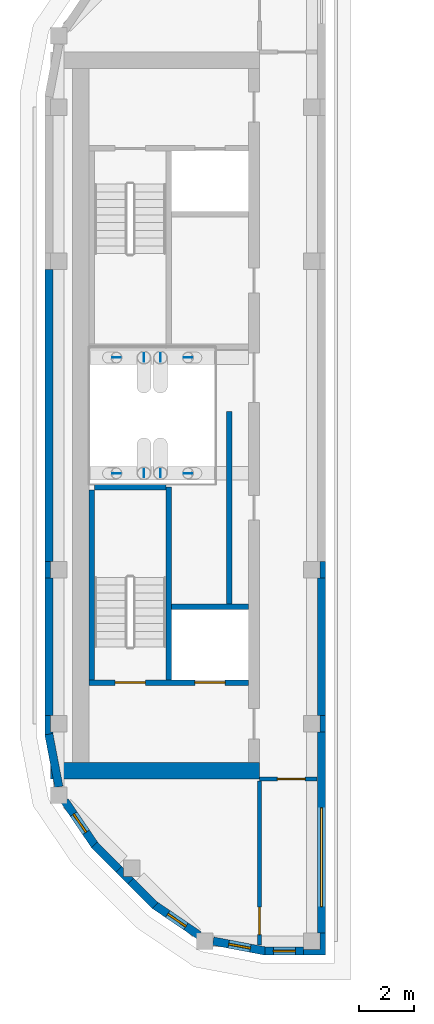
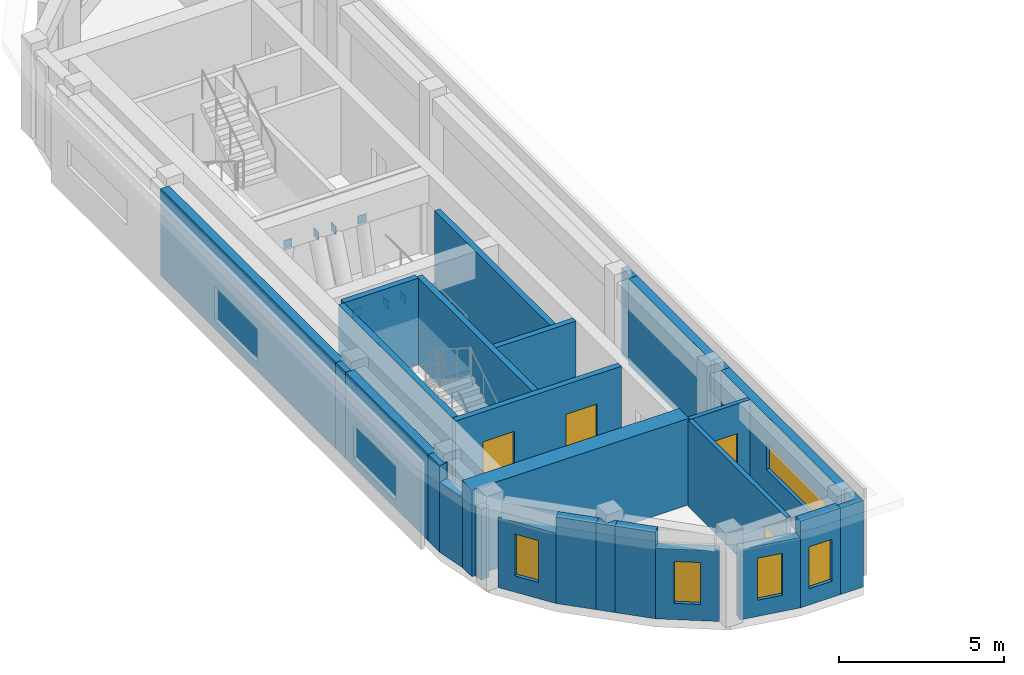
# One storey, part 2 of 8: 26 walls, 8 plates, 5 windows, 4 doors, 9 openings.
"""IFC4 building model written with IfcOpenShell, lengths in metres."""

import ifcopenshell
import ifcopenshell.guid

model = None  # the IFC model being written
_history = None  # IfcOwnerHistory: only IFC2X3 demands one
_inside = {}  # id of a spatial element -> (the spatial element, [elements in it])
_under = {}  # id of a project, library or spatial element -> (it, [spatial elements below it])
_declared = {}  # id of a project -> (the project, [libraries it declares])
_typed = {}  # id of a type object -> (the type object, [elements of that type])
_made_of = {}  # id of a material, layer set ... -> (it, [elements and type objects made of it])


def new_model(schema):
    """Start an empty IFC model of exactly this schema.

    Asked for "IFC4X3", IfcOpenShell would pick the latest addendum, in which some entities
    have other attributes; the version numbers below select the first issue.
    IFC2X3 requires an IfcOwnerHistory on every rooted entity: one is made here for all.
    """
    global model, _history
    if schema == "IFC4X3":
        model = ifcopenshell.file(schema_version=(4, 3, 0, 0))
    else:
        model = ifcopenshell.file(schema=schema)
    _inside.clear()
    _under.clear()
    _declared.clear()
    _typed.clear()
    _made_of.clear()
    _history = None
    if model.schema == "IFC2X3":
        org = make("IfcOrganization", Name="unknown")
        user = make(
            "IfcPersonAndOrganization",
            ThePerson=make("IfcPerson", FamilyName="unknown"),
            TheOrganization=org,
        )
        app = make(
            "IfcApplication",
            ApplicationDeveloper=org,
            Version="unknown",
            ApplicationFullName="unknown",
            ApplicationIdentifier="unknown",
        )
        _history = make(
            "IfcOwnerHistory",
            OwningUser=user,
            OwningApplication=app,
            ChangeAction="ADDED",
            CreationDate=0,
        )
    return model


def make(cls, **values):
    """One entity of the class cls with the attributes given. An attribute that is None is left unset."""
    return model.create_entity(
        cls, **{name: value for name, value in values.items() if value is not None}
    )


def rooted(cls, **values):
    """An entity with a GlobalId (a new one), such as an element, a storey or a relation."""
    return make(cls, GlobalId=ifcopenshell.guid.new(), OwnerHistory=_history, **values)


def si_unit(unit_type, name, prefix=None):
    """IfcSIUnit, for example si_unit("LENGTHUNIT", "METRE", prefix="MILLI")."""
    return make("IfcSIUnit", UnitType=unit_type, Prefix=prefix, Name=name)


def assignment(units):
    """IfcUnitAssignment: the units of a project."""
    return None if units is None else make("IfcUnitAssignment", Units=units)


def point(xyz):
    """IfcCartesianPoint."""
    return None if xyz is None else make("IfcCartesianPoint", Coordinates=xyz)


def direction(xyz):
    """IfcDirection."""
    return None if xyz is None else make("IfcDirection", DirectionRatios=xyz)


def frame(location, z_axis=None, x_axis=None):
    """IfcAxis2Placement3D, a coordinate frame: its origin and axes. An axis left out is left unset."""
    return make(
        "IfcAxis2Placement3D",
        Location=point(location),
        Axis=direction(z_axis),
        RefDirection=direction(x_axis),
    )


def frame_2d(location, x_axis=None):
    """IfcAxis2Placement2D, a coordinate frame in the plane: its origin and x axis."""
    return make(
        "IfcAxis2Placement2D", Location=point(location), RefDirection=direction(x_axis)
    )


def origin():
    """The frame at (0, 0, 0) with its axes left unset."""
    return frame((0.0, 0.0, 0.0))


def origin_2d():
    """The frame at (0, 0) in the plane with its x axis left unset."""
    return frame_2d((0.0, 0.0))


def place(relative_to, where):
    """IfcLocalPlacement: puts the frame where relative to a parent placement (None: the world)."""
    return make(
        "IfcLocalPlacement", PlacementRelTo=relative_to, RelativePlacement=where
    )


def context(
    kind, dimensions, precision=None, world=None, true_north=None, identifier=None
):
    """IfcGeometricRepresentationContext, for example the 3D "Model" context."""
    return make(
        "IfcGeometricRepresentationContext",
        ContextIdentifier=identifier,
        ContextType=kind,
        CoordinateSpaceDimension=dimensions,
        Precision=precision,
        WorldCoordinateSystem=world,
        TrueNorth=true_north,
    )


def subcontext(parent, identifier, kind, view, scale=None):
    """IfcGeometricRepresentationSubContext, for example "Body" below "Model"."""
    return make(
        "IfcGeometricRepresentationSubContext",
        ContextIdentifier=identifier,
        ContextType=kind,
        ParentContext=parent,
        TargetScale=scale,
        TargetView=view,
    )


def project(units=None, contexts=None):
    """IfcProject with its units and contexts."""
    return rooted(
        "IfcProject",
        Name="project",
        RepresentationContexts=contexts,
        UnitsInContext=assignment(units),
    )


def spatial(cls, under=None, at=None, **own):
    """A site, building, storey or space (cls), placed at a placement, below another one or the project."""
    s = rooted(cls, ObjectPlacement=at, **own)
    if under is not None:
        _under.setdefault(under.id(), (under, []))[1].append(s)
    return s


def polyline(points):
    """IfcPolyline through the points."""
    return make("IfcPolyline", Points=[point(p) for p in points])


def profile(cls, at=None, kind="AREA", **sizes):
    """A parametric profile (cls). Its sizes go by their IFC names, for example OverallWidth=200.0."""
    return make(cls, ProfileType=kind, Position=at, **sizes)


def rectangle(**sizes):
    """IfcRectangleProfileDef."""
    return profile("IfcRectangleProfileDef", **sizes)


def outline(outer, holes=None, kind="AREA"):
    """IfcArbitraryClosedProfileDef: a profile drawn as a closed curve; with holes, ...WithVoids."""
    if holes is None:
        return make("IfcArbitraryClosedProfileDef", ProfileType=kind, OuterCurve=outer)
    return make(
        "IfcArbitraryProfileDefWithVoids",
        ProfileType=kind,
        OuterCurve=outer,
        InnerCurves=holes,
    )


def extrude(swept, where, along, depth):
    """IfcExtrudedAreaSolid: the profile swept, set in the frame where, extruded along a direction by depth."""
    return make(
        "IfcExtrudedAreaSolid",
        SweptArea=swept,
        Position=where,
        ExtrudedDirection=direction(along),
        Depth=depth,
    )


def shape(context_of_items, identifier, shape_type, items):
    """IfcShapeRepresentation: the items that make up one representation, for example the "Body"."""
    return make(
        "IfcShapeRepresentation",
        ContextOfItems=context_of_items,
        RepresentationIdentifier=identifier,
        RepresentationType=shape_type,
        Items=items,
    )


def material(Name=None, Category=None):
    """IfcMaterial."""
    return make("IfcMaterial", Name=Name, Category=Category)


def layer(
    of_material, thickness, ventilated=None, Name=None, Category=None, Priority=None
):
    """IfcMaterialLayer: one layer of a wall or slab, of a material (None: an air gap)."""
    return make(
        "IfcMaterialLayer",
        Material=of_material,
        LayerThickness=thickness,
        IsVentilated=ventilated,
        Name=Name,
        Category=Category,
        Priority=Priority,
    )


def layer_set(layers, Name=None):
    """IfcMaterialLayerSet."""
    return make("IfcMaterialLayerSet", MaterialLayers=layers, LayerSetName=Name)


def made_of(thing, what):
    """Note that an element or type object is made of a material, layer set ...; save() writes the relation."""
    if what is not None:
        _made_of.setdefault(what.id(), (what, []))[1].append(thing)
    return thing


def type_object(cls, material=None, **own):
    """A type object (cls), such as IfcWallType, which elements share."""
    return made_of(rooted(cls, **own), material)


def element(
    cls,
    number,
    at=None,
    inside=None,
    cuts=None,
    type_object=None,
    material=None,
    context=None,
    identifier="Body",
    shape_type=None,
    held_by="IfcProductDefinitionShape",
    body=None,
    shapes=None,
    **own,
):
    """One element of the class cls, such as IfcWall. Its Tag is "e" and its number.

    at: its placement. inside: the storey or other place that contains it. cuts: it is an
    opening in that element (IfcRelVoidsElement). A single representation is given by context,
    identifier, shape_type and body (its items); several are given by shapes. held_by: the class
    of the entity that holds the representations. save() writes the other relations.
    """
    e = rooted(cls, Tag="e%d" % number, ObjectPlacement=at, **own)
    if body is not None:
        shapes = [shape(context, identifier, shape_type, body)]
    if shapes is not None:
        e.Representation = make(held_by, Representations=shapes)
    if inside is not None:
        _inside.setdefault(inside.id(), (inside, []))[1].append(e)
    if cuts is not None:
        rooted(
            "IfcRelVoidsElement", RelatingBuildingElement=cuts, RelatedOpeningElement=e
        )
    if type_object is not None:
        _typed.setdefault(type_object.id(), (type_object, []))[1].append(e)
    return made_of(e, material)


def fill(opening, filler):
    """IfcRelFillsElement: the door or window that sits in an opening."""
    return rooted(
        "IfcRelFillsElement",
        RelatingOpeningElement=opening,
        RelatedBuildingElement=filler,
    )


def aggregate(whole, parts):
    """IfcRelAggregates: a whole, such as a stair, and the parts it consists of."""
    return rooted("IfcRelAggregates", RelatingObject=whole, RelatedObjects=parts)


def save(model, path):
    """Write the relations noted so far, then the file.

    IfcRelAggregates (storeys below a building ...), IfcRelContainedInSpatialStructure (elements
    in a storey), IfcRelDefinesByType, IfcRelAssociatesMaterial and IfcRelDeclares: one each for
    every whole, place, type object, material and project.
    """
    for whole, parts in _under.values():
        aggregate(whole, parts)
    for where, things in _inside.values():
        rooted(
            "IfcRelContainedInSpatialStructure",
            RelatedElements=things,
            RelatingStructure=where,
        )
    for kind, things in _typed.values():
        rooted("IfcRelDefinesByType", RelatedObjects=things, RelatingType=kind)
    for what, things in _made_of.values():
        rooted("IfcRelAssociatesMaterial", RelatedObjects=things, RelatingMaterial=what)
    for by, libraries in _declared.values():
        rooted("IfcRelDeclares", RelatingContext=by, RelatedDefinitions=libraries)
    model.write(path)


model = new_model("IFC4")

# Units and contexts
model_context = context("Model", 3, precision=1e-05, world=origin(), true_north=direction((0.0, 1.0)))
body_context = subcontext(model_context, "Body", "Model", "MODEL_VIEW")
ifc_project = project(units=[si_unit("LENGTHUNIT", "METRE"), si_unit("AREAUNIT", "SQUARE_METRE"), si_unit("VOLUMEUNIT", "CUBIC_METRE"), si_unit("PLANEANGLEUNIT", "RADIAN"), si_unit("MASSUNIT", "GRAM", prefix="KILO")], contexts=[model_context])

# Site, building, storey
site_placement = place(None, origin())
site = spatial("IfcSite", under=ifc_project, at=site_placement, CompositionType="ELEMENT")
building_placement = place(site_placement, origin())
building = spatial("IfcBuilding", under=site, at=building_placement, Name="Kiln Ring Residences", CompositionType="ELEMENT")
storey_placement = place(building_placement, frame((0.0, 0.0, 317.39990234375)))
storey = spatial("IfcBuildingStorey", under=building, at=storey_placement, Name="L82 Crown", CompositionType="ELEMENT", Elevation=317.39990234375)

# Plates
ifc_material_1 = material(Name="Steel S460", Category="steel")
ifc_layer_1 = layer(ifc_material_1, 0.02001953125)
ifc_layer_set_1 = layer_set([ifc_layer_1], Name="Brace gusset plate 20")
plate_type = type_object("IfcPlateType", Name="Brace gusset plate 20", PredefinedType="SHEET", material=ifc_layer_set_1)
for number, where, z_axis, x_axis, name in (
    (1, (-22.60009765625, -2.10009765625, 2.05029296875), (0.0, 0.0, 1.0), (1.0, 0.0, 0.0), "Brace gusset plate 2"),
    (2, (-22.60009765625, 2.10009765625, 2.05029296875), (0.0, 0.0, 1.0), (1.0, 0.0, 0.0), "Brace gusset plate 4"),
    (3, (-20.0, -2.10009765625, 2.05029296875), (0.0, 0.0, 1.0), (1.0, 0.0, 0.0), "Brace gusset plate 6"),
    (4, (-20.0, 2.10009765625, 2.05029296875), (0.0, 0.0, 1.0), (1.0, 0.0, 0.0), "Brace gusset plate 8"),
):
    element("IfcPlate", number, at=place(storey_placement, frame(where, z_axis=z_axis, x_axis=x_axis)), inside=storey, type_object=plate_type, Name=name, PredefinedType="SHEET", context=body_context, shape_type="SweptSolid", body=[
        extrude(rectangle(XDim=0.300048828125, YDim=0.02001953125, at=origin_2d()), origin(), (0.0, 0.0, 1.0), 0.300048828125),
    ])
for number, where, z_axis, x_axis, name in (
    (5, (-21.60009765625, -2.10009765625, 2.05029296875), (0.0, 0.0, 1.0), (1.0, 0.0, 0.0), "Brace gusset plate 10"),
    (6, (-21.60009765625, 2.10009765625, 2.05029296875), (0.0, 0.0, 1.0), (1.0, 0.0, 0.0), "Brace gusset plate 12"),
    (7, (-21.0, -2.10009765625, 2.05029296875), (0.0, 0.0, 1.0), (1.0, 0.0, 0.0), "Brace gusset plate 14"),
    (8, (-21.0, 2.10009765625, 2.05029296875), (0.0, 0.0, 1.0), (1.0, 0.0, 0.0), "Brace gusset plate 16"),
):
    element("IfcPlate", number, at=place(storey_placement, frame(where, z_axis=z_axis, x_axis=x_axis)), inside=storey, type_object=plate_type, Name=name, PredefinedType="SHEET", context=body_context, shape_type="SweptSolid", body=[
        extrude(rectangle(XDim=0.02001953125, YDim=0.300048828125, at=origin_2d()), origin(), (0.0, 0.0, 1.0), 0.300048828125),
    ])

# Walls
ifc_material_2 = material(Name="Gypsum board on steel studs", Category="steel")
ifc_layer_2 = layer(ifc_material_2, 0.199951171875)
ifc_layer_set_2 = layer_set([ifc_layer_2], Name="CORE-PARTITION-200")
wall_type_1 = type_object("IfcWallType", Name="CORE-PARTITION-200", PredefinedType="PARTITIONING", material=ifc_layer_set_2)
wall_1_placement = place(storey_placement, frame((-18.5, -6.85009765625, 0.0), z_axis=(0.0, 0.0, 1.0), x_axis=(0.0, 1.0, 0.0)))
element("IfcWall", 9, at=wall_1_placement, inside=storey, type_object=wall_type_1, Name="Core partition west L82 Crown 1", PredefinedType="PARTITIONING", context=body_context, shape_type="SweptSolid", body=[
    extrude(rectangle(XDim=7.0, YDim=0.199951171875, at=frame_2d((3.5, 0.0))), origin(), (0.0, 0.0, 1.0), 3.2001953125),
])
ifc_material_3 = material(Name="Gypsum shaft wall system")
ifc_layer_3 = layer(ifc_material_3, 0.199951171875)
ifc_layer_set_3 = layer_set([ifc_layer_3], Name="CORE-SHAFT-WALL-200")
wall_type_2 = type_object("IfcWallType", Name="CORE-SHAFT-WALL-200", PredefinedType="PARTITIONING", material=ifc_layer_set_3)
wall_2_placement = place(storey_placement, frame((-17.800048828125, -6.949951171875, 0.0), z_axis=(0.0, 0.0, 1.0), x_axis=(-1.0, 0.0, 0.0)))
element("IfcWall", 10, at=wall_2_placement, inside=storey, type_object=wall_type_2, Name="Core partition west L82 Crown 2", PredefinedType="PARTITIONING", context=body_context, shape_type="SweptSolid", body=[
    extrude(rectangle(XDim=2.800048828125, YDim=0.199951171875, at=frame_2d((1.39990234375, 0.0))), origin(), (0.0, 0.0, 1.0), 3.2001953125),
])
ifc_material_4 = material(Name="Concrete C40/50", Category="concrete")
ifc_layer_4 = layer(ifc_material_4, 0.199951171875)
ifc_layer_set_4 = layer_set([ifc_layer_4], Name="CORE-WALL-RC200")
wall_type_3 = type_object("IfcWallType", Name="CORE-WALL-RC200", PredefinedType="SHEAR", material=ifc_layer_set_4)
wall_3_placement = place(storey_placement, frame((-20.699951171875, -9.60009765625, 0.0), z_axis=(0.0, 0.0, 1.0), x_axis=(0.0, 1.0, 0.0)))
element("IfcWall", 11, at=wall_3_placement, inside=storey, type_object=wall_type_3, Name="Core wall west L82 Crown 2", PredefinedType="SHEAR", context=body_context, shape_type="SweptSolid", body=[
    extrude(rectangle(XDim=7.0, YDim=0.199951171875, at=frame_2d((3.5, 0.0))), origin(), (0.0, 0.0, 1.0), 3.2001953125),
])

# Wall, openings, doors
wall_4_placement = place(storey_placement, frame((-17.800048828125, -9.699951171875, 0.0), z_axis=(0.0, 0.0, 1.0), x_axis=(-1.0, 0.0, 0.0)))
wall_4 = element("IfcWall", 12, at=wall_4_placement, inside=storey, type_object=wall_type_3, Name="Core wall west L82 Crown 8", PredefinedType="SHEAR", context=body_context, shape_type="SweptSolid", body=[
    extrude(rectangle(XDim=5.800048828125, YDim=0.199951171875, at=frame_2d((2.89990234375, 0.0))), origin(), (0.0, 0.0, 1.0), 3.2001953125),
])
opening_1_placement = place(wall_4_placement, frame((0.85009765625, 0.0, 0.0)))
opening_1 = element("IfcOpeningElement", 13, at=opening_1_placement, cuts=wall_4, Name="Opening L82-CW01", PredefinedType="OPENING", context=body_context, shape_type="SweptSolid", body=[
    extrude(rectangle(XDim=1.10009765625, YDim=2.10009765625, at=frame_2d((0.550048828125, 1.050048828125))), frame((0.0, 0.10986328125, 0.0), z_axis=(0.0, -1.0, 0.0), x_axis=(1.0, 0.0, 0.0)), (0.0, 0.0, 1.0), 0.219970703125),
])
opening_2_placement = place(wall_4_placement, frame((3.75, 0.0, 0.0)))
opening_2 = element("IfcOpeningElement", 14, at=opening_2_placement, cuts=wall_4, Name="Opening L82-CW08", PredefinedType="OPENING", context=body_context, shape_type="SweptSolid", body=[
    extrude(rectangle(XDim=1.10009765625, YDim=2.10009765625, at=frame_2d((0.550048828125, 1.050048828125))), frame((0.0, 0.10986328125, 0.0), z_axis=(0.0, -1.0, 0.0), x_axis=(1.0, 0.0, 0.0)), (0.0, 0.0, 1.0), 0.219970703125),
])
ifc_material_5 = material(Name="Steel door leaf", Category="steel")
door_type_1 = type_object("IfcDoorType", Name="CORE-DOOR-LD", OperationType="DOUBLE_DOOR_SLIDING", PredefinedType="DOOR", material=ifc_material_5)
door_1_placement = place(opening_1_placement, origin())
door_1 = element("IfcDoor", 15, at=door_1_placement, inside=storey, type_object=door_type_1, Name="LD W-SV L82-CW01", OperationType="DOUBLE_DOOR_SLIDING", OverallHeight=2.10009765625, OverallWidth=1.10009765625, PredefinedType="DOOR", context=body_context, shape_type="SweptSolid", body=[
    extrude(rectangle(XDim=1.10009765625, YDim=2.10009765625, at=frame_2d((0.550048828125, 1.050048828125))), frame((0.0, 0.02490234375, 0.0), z_axis=(0.0, -1.0, 0.0), x_axis=(1.0, 0.0, 0.0)), (0.0, 0.0, 1.0), 0.050048828125),
])
fill(opening_1, door_1)
ifc_material_6 = material(Name="Steel door leaf", Category="steel")
door_type_2 = type_object("IfcDoorType", Name="CORE-DOOR-STAIR", OperationType="SINGLE_SWING_LEFT", PredefinedType="DOOR", material=ifc_material_6)
door_2_placement = place(opening_2_placement, origin())
door_2 = element("IfcDoor", 16, at=door_2_placement, inside=storey, type_object=door_type_2, Name="Stair W-STS L82-CW08", OperationType="SINGLE_SWING_LEFT", OverallHeight=2.10009765625, OverallWidth=1.10009765625, PredefinedType="DOOR", context=body_context, shape_type="SweptSolid", body=[
    extrude(rectangle(XDim=1.10009765625, YDim=2.10009765625, at=frame_2d((0.550048828125, 1.050048828125))), frame((0.0, 0.02490234375, 0.0), z_axis=(0.0, -1.0, 0.0), x_axis=(1.0, 0.0, 0.0)), (0.0, 0.0, 1.0), 0.050048828125),
])
fill(opening_2, door_2)

# Walls
wall_5_placement = place(storey_placement, frame((-23.5, -9.60009765625, 0.0), z_axis=(0.0, 0.0, 1.0), x_axis=(0.0, 1.0, 0.0)))
element("IfcWall", 17, at=wall_5_placement, inside=storey, type_object=wall_type_3, Name="Core wall west L82 Crown 11", PredefinedType="SHEAR", context=body_context, shape_type="SweptSolid", body=[
    extrude(rectangle(XDim=6.900146484375, YDim=0.199951171875, at=frame_2d((3.4501953125, 0.0))), origin(), (0.0, 0.0, 1.0), 3.2001953125),
])
wall_6_placement = place(storey_placement, frame((-20.800048828125, -2.60009765625, 0.0), z_axis=(0.0, 0.0, 1.0), x_axis=(-1.0, 0.0, 0.0)))
element("IfcWall", 18, at=wall_6_placement, inside=storey, type_object=wall_type_3, Name="Core wall west L82 Crown 12", PredefinedType="SHEAR", context=body_context, shape_type="SweptSolid", body=[
    extrude(rectangle(XDim=2.599853515625, YDim=0.199951171875, at=frame_2d((1.2998046875, 0.0))), origin(), (0.0, 0.0, 1.0), 3.2001953125),
])
ifc_material_7 = material(Name="Concrete C60/75", Category="concrete")
ifc_layer_5 = layer(ifc_material_7, 0.60009765625)
ifc_layer_set_5 = layer_set([ifc_layer_5], Name="CORE-WALL-RC600")
wall_type_4 = type_object("IfcWallType", Name="CORE-WALL-RC600", PredefinedType="SHEAR", material=ifc_layer_set_5)
wall_7_placement = place(storey_placement, frame((-17.39990234375, -12.89990234375, 0.0), z_axis=(0.0, 0.0, 1.0), x_axis=(-1.0, 0.0, 0.0)))
element("IfcWall", 19, at=wall_7_placement, inside=storey, type_object=wall_type_4, Name="Core wall west L82 Crown 5", PredefinedType="SHEAR", context=body_context, shape_type="SweptSolid", body=[
    extrude(rectangle(XDim=7.60009765625, YDim=0.60009765625, at=frame_2d((3.800048828125, 0.0))), origin(), (0.0, 0.0, 1.0), 3.2001953125),
])

# Wall, opening, window
ifc_material_8 = material(Name="Brick masonry, dark clay brick", Category="masonry")
ifc_layer_6 = layer(ifc_material_8, 0.300048828125)
ifc_layer_set_6 = layer_set([ifc_layer_6], Name="EW-300 BRICK WALL")
wall_type_5 = type_object("IfcWallType", Name="EW-300 BRICK WALL", PredefinedType="SOLIDWALL", material=ifc_layer_set_6)
wall_8_placement = place(storey_placement, frame((-19.085205078125, -19.087646484375, 0.0), z_axis=(0.0, 0.0, 1.0), x_axis=(0.982286967073, -0.187382801553, 0.0)))
wall_8 = element("IfcWall", 20, at=wall_8_placement, inside=storey, type_object=wall_type_5, Name="Facade wall L82 Crown 1", PredefinedType="SOLIDWALL", context=body_context, shape_type="SweptSolid", body=[
    extrude(rectangle(XDim=1.94775390625, YDim=0.300048828125, at=frame_2d((0.973876953125, 0.0))), origin(), (0.0, 0.0, 1.0), 2.60009765625),
])
opening_3_placement = place(wall_8_placement, frame((0.573974609375, 0.0, 0.60009765625)))
opening_3 = element("IfcOpeningElement", 21, at=opening_3_placement, cuts=wall_8, Name="Opening W5", PredefinedType="OPENING", context=body_context, shape_type="SweptSolid", body=[
    extrude(rectangle(XDim=0.800048828125, YDim=1.550048828125, at=frame_2d((0.39990234375, 0.77490234375))), frame((0.0, 0.159912109375, 0.0), z_axis=(0.0, -1.0, 0.0), x_axis=(1.0, 0.0, 0.0)), (0.0, 0.0, 1.0), 0.320068359375),
])
ifc_material_9 = material(Name="Aluminium frame with double glazing", Category="aluminium")
window_type_1 = type_object("IfcWindowType", Name="WINDOW 800 x 1550", PartitioningType="SINGLE_PANEL", PredefinedType="WINDOW", material=ifc_material_9)
window_1_placement = place(opening_3_placement, origin())
window_1 = element("IfcWindow", 22, at=window_1_placement, inside=storey, type_object=window_type_1, Name="Window L82 Crown 1", OverallHeight=1.550048828125, OverallWidth=0.800048828125, PartitioningType="SINGLE_PANEL", PredefinedType="WINDOW", context=body_context, shape_type="SweptSolid", body=[
    extrude(rectangle(XDim=0.800048828125, YDim=1.550048828125, at=frame_2d((0.39990234375, 0.77490234375))), frame((0.0, 0.030029296875, 0.0), z_axis=(0.0, -1.0, 0.0), x_axis=(1.0, 0.0, 0.0)), (0.0, 0.0, 1.0), 0.06005859375),
])
fill(opening_3, window_1)

wall_9_placement = place(storey_placement, frame((-17.199951171875, -19.449951171875, 0.0), z_axis=(0.0, 0.0, 1.0), x_axis=(1.0, 0.0, 0.0)))
wall_9 = element("IfcWall", 23, at=wall_9_placement, inside=storey, type_object=wall_type_5, Name="Facade wall L82 Crown 2", PredefinedType="SOLIDWALL", context=body_context, shape_type="SweptSolid", body=[
    extrude(rectangle(XDim=1.39990234375, YDim=0.300048828125, at=frame_2d((0.699951171875, 0.0))), origin(), (0.0, 0.0, 1.0), 3.2001953125),
])
opening_4_placement = place(wall_9_placement, frame((0.300048828125, 0.0, 0.60009765625)))
opening_4 = element("IfcOpeningElement", 24, at=opening_4_placement, cuts=wall_9, Name="Opening W5", PredefinedType="OPENING", context=body_context, shape_type="SweptSolid", body=[
    extrude(rectangle(XDim=0.800048828125, YDim=1.550048828125, at=frame_2d((0.39990234375, 0.77490234375))), frame((0.0, 0.159912109375, 0.0), z_axis=(0.0, -1.0, 0.0), x_axis=(1.0, 0.0, 0.0)), (0.0, 0.0, 1.0), 0.320068359375),
])
window_2_placement = place(opening_4_placement, origin())
window_2 = element("IfcWindow", 25, at=window_2_placement, inside=storey, type_object=window_type_1, Name="Window L82 Crown 2", OverallHeight=1.550048828125, OverallWidth=0.800048828125, PartitioningType="SINGLE_PANEL", PredefinedType="WINDOW", context=body_context, shape_type="SweptSolid", body=[
    extrude(rectangle(XDim=0.800048828125, YDim=1.550048828125, at=frame_2d((0.39990234375, 0.77490234375))), frame((0.0, 0.030029296875, 0.0), z_axis=(0.0, -1.0, 0.0), x_axis=(1.0, 0.0, 0.0)), (0.0, 0.0, 1.0), 0.06005859375),
])
fill(opening_4, window_2)

wall_10_placement = place(storey_placement, frame((-15.14990234375, -18.800048828125, 0.0), z_axis=(0.0, 0.0, 1.0), x_axis=(0.0, 1.0, 0.0)))
wall_10 = element("IfcWall", 26, at=wall_10_placement, inside=storey, type_object=wall_type_5, Name="Facade wall L82 Crown 3", PredefinedType="SOLIDWALL", context=body_context, shape_type="SweptSolid", body=[
    extrude(rectangle(XDim=7.300048828125, YDim=0.300048828125, at=frame_2d((3.64990234375, 0.0))), origin(), (0.0, 0.0, 1.0), 3.2001953125),
])
opening_5_placement = place(wall_10_placement, frame((0.96240234375, 0.0, 1.199951171875)))
opening_5 = element("IfcOpeningElement", 27, at=opening_5_placement, cuts=wall_10, Name="Opening W4", PredefinedType="OPENING", context=body_context, shape_type="SweptSolid", body=[
    extrude(rectangle(XDim=3.60009765625, YDim=0.949951171875, at=frame_2d((1.800048828125, 0.47509765625))), frame((0.0, 0.159912109375, 0.0), z_axis=(0.0, -1.0, 0.0), x_axis=(1.0, 0.0, 0.0)), (0.0, 0.0, 1.0), 0.320068359375),
])
ifc_material_10 = material(Name="Aluminium frame with double glazing", Category="aluminium")
window_type_2 = type_object("IfcWindowType", Name="WINDOW 3600 x 950", PartitioningType="SINGLE_PANEL", PredefinedType="WINDOW", material=ifc_material_10)
window_3_placement = place(opening_5_placement, origin())
window_3 = element("IfcWindow", 28, at=window_3_placement, inside=storey, type_object=window_type_2, Name="Window L82 Crown 3", OverallHeight=0.949951171875, OverallWidth=3.60009765625, PartitioningType="SINGLE_PANEL", PredefinedType="WINDOW", context=body_context, shape_type="SweptSolid", body=[
    extrude(rectangle(XDim=3.60009765625, YDim=0.949951171875, at=frame_2d((1.800048828125, 0.47509765625))), frame((0.0, 0.030029296875, 0.0), z_axis=(0.0, -1.0, 0.0), x_axis=(1.0, 0.0, 0.0)), (0.0, 0.0, 1.0), 0.06005859375),
])
fill(opening_5, window_3)

# Walls
wall_11_placement = place(storey_placement, frame((-15.14990234375, -10.89990234375, 0.0), z_axis=(0.0, 0.0, 1.0), x_axis=(0.0, 1.0, 0.0)))
element("IfcWall", 29, at=wall_11_placement, inside=storey, type_object=wall_type_5, Name="Facade wall L82 Crown 4", PredefinedType="SOLIDWALL", context=body_context, shape_type="SweptSolid", body=[
    extrude(rectangle(XDim=5.0, YDim=0.300048828125, at=frame_2d((2.5, 0.0))), origin(), (0.0, 0.0, 1.0), 3.2001953125),
])
wall_12_placement = place(storey_placement, frame((-25.050048828125, 5.300048828125, 0.0), z_axis=(0.0, 0.0, 1.0), x_axis=(0.0, -1.0, 0.0)))
element("IfcWall", 30, at=wall_12_placement, inside=storey, type_object=wall_type_5, Name="Facade wall L82 Crown 16", PredefinedType="SOLIDWALL", context=body_context, shape_type="SweptSolid", body=[
    extrude(rectangle(XDim=10.60009765625, YDim=0.300048828125, at=frame_2d((5.300048828125, 0.0))), origin(), (0.0, 0.0, 1.0), 3.2001953125),
])
wall_13_placement = place(storey_placement, frame((-25.050048828125, -5.89990234375, 0.0), z_axis=(0.0, 0.0, 1.0), x_axis=(0.0, -1.0, 0.0)))
element("IfcWall", 31, at=wall_13_placement, inside=storey, type_object=wall_type_5, Name="Facade wall L82 Crown 17", PredefinedType="SOLIDWALL", context=body_context, shape_type="SweptSolid", body=[
    extrude(rectangle(XDim=5.0, YDim=0.300048828125, at=frame_2d((2.5, 0.0))), origin(), (0.0, 0.0, 1.0), 3.2001953125),
])
wall_14_placement = place(storey_placement, frame((-25.052490234375, -11.57275390625, 0.0), z_axis=(0.0, 0.0, 1.0), x_axis=(0.187354129902, -0.982292436095, 0.0)))
element("IfcWall", 32, at=wall_14_placement, inside=storey, type_object=wall_type_5, Name="Facade wall L82 Crown 18", PredefinedType="SOLIDWALL", context=body_context, shape_type="SweptSolid", body=[
    extrude(rectangle(XDim=1.94677734375, YDim=0.300048828125, at=frame_2d((0.973388671875, 0.0))), origin(), (0.0, 0.0, 1.0), 2.60009765625),
])

# Wall, opening, window
wall_15_placement = place(storey_placement, frame((-24.4736328125, -14.001708984375, 0.0), z_axis=(0.0, 0.0, 1.0), x_axis=(0.562025435703, -0.827119948752, 0.0)))
wall_15 = element("IfcWall", 33, at=wall_15_placement, inside=storey, type_object=wall_type_5, Name="Facade wall L82 Crown 19", PredefinedType="SOLIDWALL", context=body_context, shape_type="SweptSolid", body=[
    extrude(rectangle(XDim=1.94775390625, YDim=0.300048828125, at=frame_2d((0.973876953125, 0.0))), origin(), (0.0, 0.0, 1.0), 2.60009765625),
])
opening_6_placement = place(wall_15_placement, frame((0.573974609375, 0.0, 0.60009765625)))
opening_6 = element("IfcOpeningElement", 34, at=opening_6_placement, cuts=wall_15, Name="Opening W5", PredefinedType="OPENING", context=body_context, shape_type="SweptSolid", body=[
    extrude(rectangle(XDim=0.800048828125, YDim=1.550048828125, at=frame_2d((0.39990234375, 0.77490234375))), frame((0.0, 0.159912109375, 0.0), z_axis=(0.0, -1.0, 0.0), x_axis=(1.0, 0.0, 0.0)), (0.0, 0.0, 1.0), 0.320068359375),
])
window_4_placement = place(opening_6_placement, origin())
window_4 = element("IfcWindow", 35, at=window_4_placement, inside=storey, type_object=window_type_1, Name="Window L82 Crown 8", OverallHeight=1.550048828125, OverallWidth=0.800048828125, PartitioningType="SINGLE_PANEL", PredefinedType="WINDOW", context=body_context, shape_type="SweptSolid", body=[
    extrude(rectangle(XDim=0.800048828125, YDim=1.550048828125, at=frame_2d((0.39990234375, 0.77490234375))), frame((0.0, 0.030029296875, 0.0), z_axis=(0.0, -1.0, 0.0), x_axis=(1.0, 0.0, 0.0)), (0.0, 0.0, 1.0), 0.06005859375),
])
fill(opening_6, window_4)

# Walls
for number, where, z_axis, x_axis, name in (
    (36, (-23.39697265625, -15.591064453125, 0.0), (0.0, 0.0, 1.0), (0.707203678312, -0.707009870781, 0.0), "Facade wall L82 Crown 20"),
    (37, (-22.081787109375, -16.906005859375, 0.0), (0.0, 0.0, 1.0), (0.707106781187, -0.707106781187, 0.0), "Facade wall L82 Crown 21"),
):
    element("IfcWall", number, at=place(storey_placement, frame(where, z_axis=z_axis, x_axis=x_axis)), inside=storey, type_object=wall_type_5, Name=name, PredefinedType="SOLIDWALL", context=body_context, shape_type="SweptSolid", body=[
        extrude(rectangle(XDim=1.259765625, YDim=0.300048828125, at=frame_2d((0.6298828125, 0.0))), origin(), (0.0, 0.0, 1.0), 3.2001953125),
    ])

# Wall, opening, window
wall_16_placement = place(storey_placement, frame((-21.212646484375, -17.77880859375, 0.0), z_axis=(0.0, 0.0, 1.0), x_axis=(0.827022075481, -0.562169446579, 0.0)))
wall_16 = element("IfcWall", 38, at=wall_16_placement, inside=storey, type_object=wall_type_5, Name="Facade wall L82 Crown 22", PredefinedType="SOLIDWALL", context=body_context, shape_type="SweptSolid", body=[
    extrude(rectangle(XDim=1.94775390625, YDim=0.300048828125, at=frame_2d((0.973876953125, 0.0))), origin(), (0.0, 0.0, 1.0), 2.60009765625),
])
opening_7_placement = place(wall_16_placement, frame((0.573974609375, 0.0, 0.60009765625)))
opening_7 = element("IfcOpeningElement", 39, at=opening_7_placement, cuts=wall_16, Name="Opening W5", PredefinedType="OPENING", context=body_context, shape_type="SweptSolid", body=[
    extrude(rectangle(XDim=0.800048828125, YDim=1.550048828125, at=frame_2d((0.39990234375, 0.77490234375))), frame((0.0, 0.159912109375, 0.0), z_axis=(0.0, -1.0, 0.0), x_axis=(1.0, 0.0, 0.0)), (0.0, 0.0, 1.0), 0.320068359375),
])
window_5_placement = place(opening_7_placement, origin())
window_5 = element("IfcWindow", 40, at=window_5_placement, inside=storey, type_object=window_type_1, Name="Window L82 Crown 9", OverallHeight=1.550048828125, OverallWidth=0.800048828125, PartitioningType="SINGLE_PANEL", PredefinedType="WINDOW", context=body_context, shape_type="SweptSolid", body=[
    extrude(rectangle(XDim=0.800048828125, YDim=1.550048828125, at=frame_2d((0.39990234375, 0.77490234375))), frame((0.0, 0.030029296875, 0.0), z_axis=(0.0, -1.0, 0.0), x_axis=(1.0, 0.0, 0.0)), (0.0, 0.0, 1.0), 0.06005859375),
])
fill(opening_7, window_5)

# Walls
placement = place(storey_placement, origin())
element("IfcWall", 41, at=placement, inside=storey, type_object=wall_type_5, Name="Corner wall L82 Crown 1", PredefinedType="SOLIDWALL", context=body_context, shape_type="SweptSolid", body=[
    extrude(outline(polyline([(-22.39990234375, -16.375732421875), (-22.612060546875, -16.587890625), (-22.18798828125, -17.01220703125), (-21.9755859375, -16.800048828125), (-22.029296875, -16.746337890625), (-22.346435546875, -16.746337890625), (-22.346435546875, -16.42919921875), (-22.39990234375, -16.375732421875)])), origin(), (0.0, 0.0, 1.0), 3.2001953125),
])
element("IfcWall", 42, at=placement, inside=storey, type_object=wall_type_5, Name="Corner wall L82 Crown 2", PredefinedType="SOLIDWALL", context=body_context, shape_type="SweptSolid", body=[
    extrude(outline(polyline([(-25.199951171875, -10.89990234375), (-25.199951171875, -11.600830078125), (-24.9033203125, -11.544189453125), (-24.89990234375, -11.56103515625), (-24.89990234375, -11.5), (-25.0, -11.5), (-25.0, -10.89990234375), (-25.199951171875, -10.89990234375)])), origin(), (0.0, 0.0, 1.0), 3.2001953125),
])
element("IfcWall", 43, at=placement, inside=storey, type_object=wall_type_5, Name="Corner wall L82 Crown 3", PredefinedType="SOLIDWALL", context=body_context, shape_type="SweptSolid", body=[
    extrude(outline(polyline([(-25.0, -5.300048828125), (-25.199951171875, -5.300048828125), (-25.199951171875, -5.89990234375), (-24.89990234375, -5.89990234375), (-25.0, -5.89990234375), (-25.0, -5.300048828125)])), origin(), (0.0, 0.0, 1.0), 3.2001953125),
])
element("IfcWall", 44, at=placement, inside=storey, type_object=wall_type_5, Name="Corner wall L82 Crown 10", PredefinedType="SOLIDWALL", context=body_context, shape_type="SweptSolid", body=[
    extrude(outline(polyline([(-15.300048828125, -5.89990234375), (-15.0, -5.89990234375), (-15.0, -5.300048828125), (-15.300048828125, -5.300048828125), (-15.199951171875, -5.300048828125), (-15.199951171875, -5.89990234375), (-15.300048828125, -5.89990234375)])), origin(), (0.0, 0.0, 1.0), 3.2001953125),
])
element("IfcWall", 45, at=placement, inside=storey, type_object=wall_type_5, Name="Corner wall L82 Crown 11", PredefinedType="SOLIDWALL", context=body_context, shape_type="SweptSolid", body=[
    extrude(outline(polyline([(-15.199951171875, -11.5), (-15.0, -11.5), (-15.0, -10.89990234375), (-15.199951171875, -10.89990234375), (-15.199951171875, -11.5)])), origin(), (0.0, 0.0, 1.0), 3.2001953125),
])
element("IfcWall", 46, at=placement, inside=storey, type_object=wall_type_5, Name="Corner wall L82 Crown 12", PredefinedType="SOLIDWALL", context=body_context, shape_type="SweptSolid", body=[
    extrude(outline(polyline([(-15.800048828125, -19.60009765625), (-15.0, -19.60009765625), (-15.0, -18.800048828125), (-15.199951171875, -18.800048828125), (-15.199951171875, -19.39990234375), (-15.800048828125, -19.39990234375), (-15.800048828125, -19.60009765625)])), origin(), (0.0, 0.0, 1.0), 3.2001953125),
])

# Wall, opening, door
ifc_material_11 = material(Name="Brick masonry partition", Category="masonry")
ifc_layer_7 = layer(ifc_material_11, 0.14990234375)
ifc_layer_set_7 = layer_set([ifc_layer_7], Name="PARTITION-150-ei60")
wall_type_6 = type_object("IfcWallType", Name="PARTITION-150-ei60", PredefinedType="PARTITIONING", material=ifc_layer_set_7)
wall_23_placement = place(storey_placement, frame((-17.405029296875, -13.199951171875, 0.0), z_axis=(0.0, 0.0, 1.0), x_axis=(1.0, 0.0, 0.0)))
wall_23 = element("IfcWall", 47, at=wall_23_placement, inside=storey, type_object=wall_type_6, Name="Partition 000", PredefinedType="PARTITIONING", context=body_context, shape_type="SweptSolid", body=[
    extrude(rectangle(XDim=2.0849609375, YDim=0.14990234375, at=frame_2d((1.04248046875, 0.0))), origin(), (0.0, 0.0, 1.0), 3.2001953125),
])
opening_8_placement = place(wall_23_placement, frame((0.655029296875, 0.0, 0.0)))
opening_8 = element("IfcOpeningElement", 48, at=opening_8_placement, cuts=wall_23, Name="Opening L82-D003", PredefinedType="OPENING", context=body_context, shape_type="SweptSolid", body=[
    extrude(rectangle(XDim=1.0, YDim=2.10009765625, at=frame_2d((0.5, 1.050048828125))), frame((0.0, 0.0849609375, 0.0), z_axis=(0.0, -1.0, 0.0), x_axis=(1.0, 0.0, 0.0)), (0.0, 0.0, 1.0), 0.169921875),
])
ifc_material_12 = material(Name="Steel faced fire door leaf", Category="steel")
door_type_3 = type_object("IfcDoorType", Name="FLAT-DOOR-1000-FR", OperationType="SINGLE_SWING_LEFT", PredefinedType="DOOR", material=ifc_material_12)
door_3_placement = place(opening_8_placement, origin())
door_3 = element("IfcDoor", 49, at=door_3_placement, inside=storey, type_object=door_type_3, Name="Door L82-D003", OperationType="SINGLE_SWING_RIGHT", OverallHeight=2.10009765625, OverallWidth=1.0, PredefinedType="DOOR", context=body_context, shape_type="SweptSolid", body=[
    extrude(rectangle(XDim=1.0, YDim=2.10009765625, at=frame_2d((0.5, 1.050048828125))), frame((0.0, 0.02490234375, 0.0), z_axis=(0.0, -1.0, 0.0), x_axis=(1.0, 0.0, 0.0)), (0.0, 0.0, 1.0), 0.050048828125),
])
fill(opening_8, door_3)

wall_24_placement = place(storey_placement, frame((-17.39990234375, -19.236328125, 0.0), z_axis=(0.0, 0.0, 1.0), x_axis=(0.0, 1.0, 0.0)))
wall_24 = element("IfcWall", 50, at=wall_24_placement, inside=storey, type_object=wall_type_6, Name="Partition 002", PredefinedType="PARTITIONING", context=body_context, shape_type="SweptSolid", body=[
    extrude(rectangle(XDim=5.96142578125, YDim=0.14990234375, at=frame_2d((2.980712890625, 0.0))), origin(), (0.0, 0.0, 1.0), 3.2001953125),
])
opening_9_placement = place(wall_24_placement, frame((0.386474609375, 0.0, 0.0)))
opening_9 = element("IfcOpeningElement", 51, at=opening_9_placement, cuts=wall_24, Name="Opening L82-D004", PredefinedType="OPENING", context=body_context, shape_type="SweptSolid", body=[
    extrude(rectangle(XDim=1.0, YDim=2.10009765625, at=frame_2d((0.5, 1.050048828125))), frame((0.0, 0.0849609375, 0.0), z_axis=(0.0, -1.0, 0.0), x_axis=(1.0, 0.0, 0.0)), (0.0, 0.0, 1.0), 0.169921875),
])
door_4_placement = place(opening_9_placement, origin())
door_4 = element("IfcDoor", 52, at=door_4_placement, inside=storey, type_object=door_type_3, Name="Door L82-D004", OperationType="SINGLE_SWING_RIGHT", OverallHeight=2.10009765625, OverallWidth=1.0, PredefinedType="DOOR", context=body_context, shape_type="SweptSolid", body=[
    extrude(rectangle(XDim=1.0, YDim=2.10009765625, at=frame_2d((0.5, 1.050048828125))), frame((0.0, 0.02490234375, 0.0), z_axis=(0.0, -1.0, 0.0), x_axis=(1.0, 0.0, 0.0)), (0.0, 0.0, 1.0), 0.050048828125),
])
fill(opening_9, door_4)

save(model, "model.ifc")
